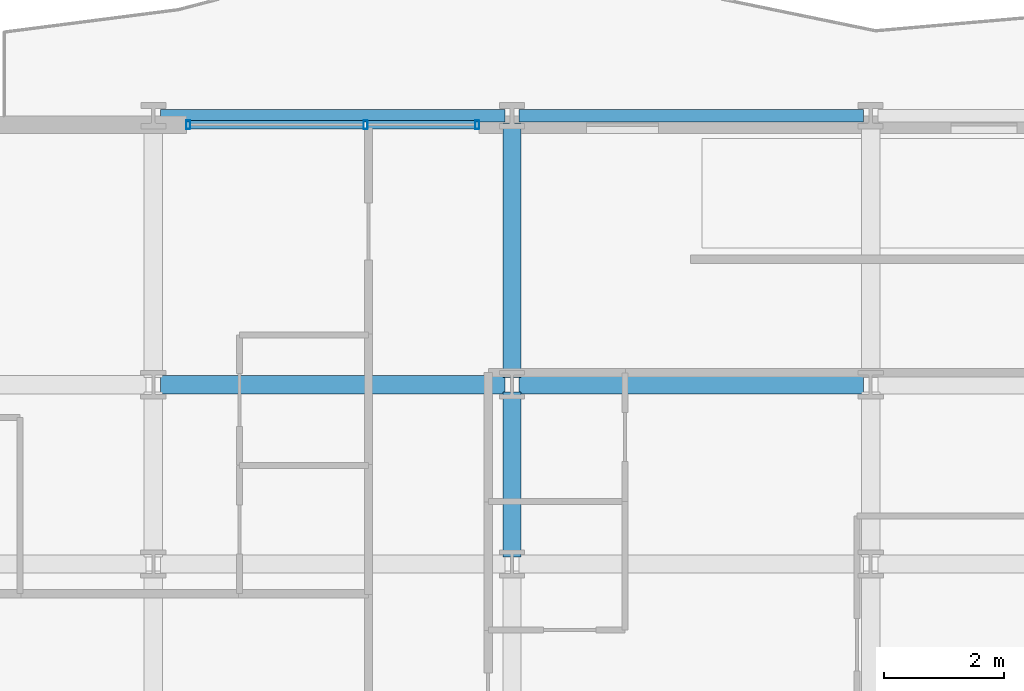
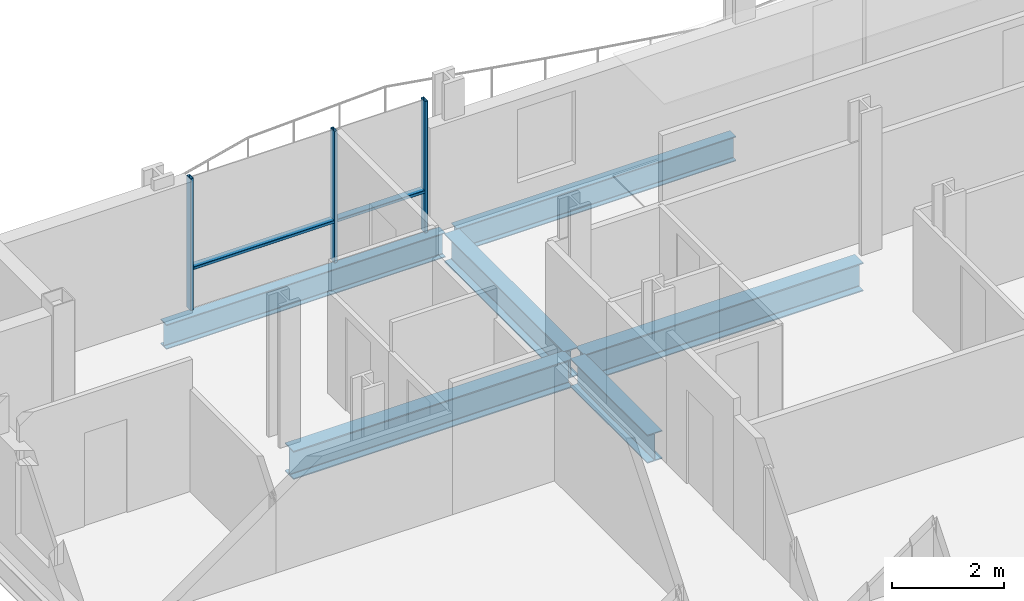
# One storey, part 7 of 39: 6 beams, 5 members, 1 element without a shape of its own.
"""IFC4 building model written with IfcOpenShell, lengths in metres."""

from ifc_helpers import new_model, si_unit, direction, frame, origin, origin_2d, place, context, subcontext, project, spatial, hollow_rectangle, i_section, extrude, material, layer, layer_set, material_profile, profile_set, type_object, element, aggregate, save


model = new_model("IFC4")

# Units and contexts
model_context = context("Model", 3, precision=1e-05, world=origin(), true_north=direction((0.0, 1.0)))
body_context = subcontext(model_context, "Body", "Model", "MODEL_VIEW")
ifc_project = project(units=[si_unit("LENGTHUNIT", "METRE"), si_unit("AREAUNIT", "SQUARE_METRE"), si_unit("VOLUMEUNIT", "CUBIC_METRE"), si_unit("PLANEANGLEUNIT", "RADIAN"), si_unit("MASSUNIT", "GRAM", prefix="KILO")], contexts=[model_context])

# Site, building, storey
site_placement = place(None, origin())
site = spatial("IfcSite", under=ifc_project, at=site_placement, CompositionType="ELEMENT")
building_placement = place(site_placement, origin())
building = spatial("IfcBuilding", under=site, at=building_placement, Name="Brevholm Reach", CompositionType="ELEMENT")
storey_placement = place(building_placement, frame((0.0, 0.0, 40.39990234375)))
storey = spatial("IfcBuildingStorey", under=building, at=storey_placement, Name="L10", CompositionType="ELEMENT", Elevation=40.39990234375)

# Beams
ifc_material_1 = material(Name="Structural Steel S355J2", Category="steel")
ifc_material_profile_1 = material_profile(ifc_material_1, i_section(OverallWidth=0.210693359375, OverallDepth=0.53955078125, WebThickness=0.01171875, FlangeThickness=0.018798828125, FilletRadius=0.0126953125, at=origin_2d()), Name="UKB 533x210x109")
ifc_profile_set_1 = profile_set([ifc_material_profile_1], Name="Structural Steel S355J2")
beam_type_1 = type_object("IfcBeamType", Name="BM-SP539", PredefinedType="SPANDREL", material=ifc_profile_set_1)
for number, where, z_axis, x_axis, name in (
    (1, (6.1201171875, 31.0, -0.499755859375), (1.0, 0.0, 0.0), (0.0, 1.0, 0.0), "L10 SP-01B Framing Beam"),
    (2, (12.1201171875, 31.0, -0.499755859375), (1.0, 0.0, 0.0), (0.0, 1.0, 0.0), "L10 SP-01B Framing Beam"),
):
    element("IfcBeam", number, at=place(storey_placement, frame(where, z_axis=z_axis, x_axis=x_axis)), inside=storey, type_object=beam_type_1, Name=name, PredefinedType="SPANDREL", context=body_context, shape_type="SweptSolid", body=[
        extrude(i_section(OverallWidth=0.210693359375, OverallDepth=0.53955078125, WebThickness=0.01171875, FlangeThickness=0.018798828125, FilletRadius=0.0126953125, at=origin_2d()), origin(), (0.0, 0.0, 1.0), 5.759765625),
    ])
ifc_material_2 = material(Name="Structural Steel S355J2", Category="steel")
ifc_material_profile_2 = material_profile(ifc_material_2, i_section(OverallWidth=0.30712890625, OverallDepth=0.6201171875, WebThickness=0.01416015625, FlangeThickness=0.023681640625, FilletRadius=0.0166015625, at=origin_2d()), Name="UKB 610x305x179")
ifc_profile_set_2 = profile_set([ifc_material_profile_2], Name="Structural Steel S355J2")
beam_type_2 = type_object("IfcBeamType", Name="BM-UKB610H", PredefinedType="USERDEFINED", material=ifc_profile_set_2)
for number, where, z_axis, x_axis, name in (
    (3, (6.1201171875, 26.5, -0.5400390625), (1.0, 0.0, 0.0), (0.0, 1.0, 0.0), "L10 G-06 Framing Beam"),
    (4, (12.1201171875, 26.5, -0.5400390625), (1.0, 0.0, 0.0), (0.0, 1.0, 0.0), "L10 G-06 Framing Beam"),
):
    element("IfcBeam", number, at=place(storey_placement, frame(where, z_axis=z_axis, x_axis=x_axis)), inside=storey, type_object=beam_type_2, Name=name, ObjectType="GIRDER", PredefinedType="USERDEFINED", context=body_context, shape_type="SweptSolid", body=[
        extrude(i_section(OverallWidth=0.30712890625, OverallDepth=0.6201171875, WebThickness=0.01416015625, FlangeThickness=0.023681640625, FilletRadius=0.0166015625, at=origin_2d()), origin(), (0.0, 0.0, 1.0), 5.759765625),
    ])
beam_1_placement = place(storey_placement, frame((12.0, 23.6201171875, -0.5400390625), z_axis=(0.0, 1.0, 0.0), x_axis=(-1.0, 0.0, 0.0)))
element("IfcBeam", 5, at=beam_1_placement, inside=storey, type_object=beam_type_2, Name="L10 G-06 Framing Beam", ObjectType="GIRDER", PredefinedType="USERDEFINED", context=body_context, shape_type="SweptSolid", body=[
    extrude(i_section(OverallWidth=0.30712890625, OverallDepth=0.6201171875, WebThickness=0.01416015625, FlangeThickness=0.023681640625, FilletRadius=0.0166015625, at=origin_2d()), origin(), (0.0, 0.0, 1.0), 2.759765625),
])
beam_2_placement = place(storey_placement, frame((12.0, 26.6201171875, -0.5400390625), z_axis=(0.0, 1.0, 0.0), x_axis=(-1.0, 0.0, 0.0)))
element("IfcBeam", 6, at=beam_2_placement, inside=storey, type_object=beam_type_2, Name="L10 G-06 Framing Beam", ObjectType="GIRDER", PredefinedType="USERDEFINED", context=body_context, shape_type="SweptSolid", body=[
    extrude(i_section(OverallWidth=0.30712890625, OverallDepth=0.6201171875, WebThickness=0.01416015625, FlangeThickness=0.023681640625, FilletRadius=0.0166015625, at=origin_2d()), origin(), (0.0, 0.0, 1.0), 4.259765625),
])

# Curtain wall, members
ifc_material_3 = material(Name="Dark Anodised Aluminium 6063-T6 and Solar-Control Glass", Category="aluminium")
ifc_layer = layer(ifc_material_3, 0.14990234375)
ifc_layer_set = layer_set([ifc_layer], Name="Dark Anodised Aluminium 6063-T6 and Solar-Control Glass")
curtain_wall_type = type_object("IfcCurtainWallType", Name="CW-01", PredefinedType="NOTDEFINED", material=ifc_layer_set)
curtain_wall_placement = place(storey_placement, origin())
curtain_wall = element("IfcCurtainWall", 7, at=curtain_wall_placement, inside=storey, type_object=curtain_wall_type, Name="L10 Curtain Wall CW-01", PredefinedType="NOTDEFINED")
ifc_material_4 = material(Name="Dark Anodised Aluminium 6063-T6", Category="aluminium")
ifc_material_profile_3 = material_profile(ifc_material_4, hollow_rectangle(XDim=0.06494140625, YDim=0.14990234375, WallThickness=0.0048828125, InnerFilletRadius=0.0048828125, OuterFilletRadius=0.010009765625, at=origin_2d()), Name="RHS 150x65x5")
ifc_profile_set_3 = profile_set([ifc_material_profile_3], Name="Dark Anodised Aluminium 6063-T6")
member_type_1 = type_object("IfcMemberType", Name="CWM-150", PredefinedType="MULLION", material=ifc_profile_set_3)
member_1_placement = place(storey_placement, frame((6.58251953125, 30.85009765625, 0.0), z_axis=(0.0, 0.0, 1.0), x_axis=(1.0, 0.0, 0.0)))
member_1 = element("IfcMember", 8, at=member_1_placement, type_object=member_type_1, Name="CM-150 Mullion 1", PredefinedType="MULLION", context=body_context, shape_type="SweptSolid", body=[
    extrude(hollow_rectangle(XDim=0.06494140625, YDim=0.14990234375, WallThickness=0.0048828125, InnerFilletRadius=0.0048828125, OuterFilletRadius=0.010009765625, at=origin_2d()), origin(), (0.0, 0.0, 1.0), 2.8701171875),
])
member_2_placement = place(storey_placement, frame((9.550048828125, 30.85009765625, 0.0), z_axis=(0.0, 0.0, 1.0), x_axis=(1.0, 0.0, 0.0)))
member_2 = element("IfcMember", 9, at=member_2_placement, type_object=member_type_1, Name="CM-150 Mullion 2", PredefinedType="MULLION", context=body_context, shape_type="SweptSolid", body=[
    extrude(hollow_rectangle(XDim=0.06494140625, YDim=0.14990234375, WallThickness=0.0048828125, InnerFilletRadius=0.0048828125, OuterFilletRadius=0.010009765625, at=origin_2d()), origin(), (0.0, 0.0, 1.0), 2.8701171875),
])
member_3_placement = place(storey_placement, frame((11.41748046875, 30.85009765625, 0.0), z_axis=(0.0, 0.0, 1.0), x_axis=(1.0, 0.0, 0.0)))
member_3 = element("IfcMember", 10, at=member_3_placement, type_object=member_type_1, Name="CM-150 Mullion 3", PredefinedType="MULLION", context=body_context, shape_type="SweptSolid", body=[
    extrude(hollow_rectangle(XDim=0.06494140625, YDim=0.14990234375, WallThickness=0.0048828125, InnerFilletRadius=0.0048828125, OuterFilletRadius=0.010009765625, at=origin_2d()), origin(), (0.0, 0.0, 1.0), 2.8701171875),
])
ifc_material_5 = material(Name="Dark Anodised Aluminium 6063-T6", Category="aluminium")
ifc_material_profile_4 = material_profile(ifc_material_5, hollow_rectangle(XDim=0.06494140625, YDim=0.14990234375, WallThickness=0.0048828125, InnerFilletRadius=0.0048828125, OuterFilletRadius=0.010009765625, at=origin_2d()), Name="RHS 150x65x5")
ifc_profile_set_4 = profile_set([ifc_material_profile_4], Name="Dark Anodised Aluminium 6063-T6")
member_type_2 = type_object("IfcMemberType", Name="CWT-150", PredefinedType="NOTDEFINED", material=ifc_profile_set_4)
member_4_placement = place(storey_placement, frame((6.614990234375, 30.85009765625, 0.900146484375), z_axis=(1.0, 0.0, 0.0), x_axis=(0.0, 0.0, 1.0)))
member_4 = element("IfcMember", 11, at=member_4_placement, type_object=member_type_2, Name="CT-150 Transom 1.1", ObjectType="TRANSOM", PredefinedType="USERDEFINED", context=body_context, shape_type="SweptSolid", body=[
    extrude(hollow_rectangle(XDim=0.06494140625, YDim=0.14990234375, WallThickness=0.0048828125, InnerFilletRadius=0.0048828125, OuterFilletRadius=0.010009765625, at=origin_2d()), origin(), (0.0, 0.0, 1.0), 2.902587890625),
])
member_5_placement = place(storey_placement, frame((9.58251953125, 30.85009765625, 0.900146484375), z_axis=(1.0, 0.0, 0.0), x_axis=(0.0, 0.0, 1.0)))
member_5 = element("IfcMember", 12, at=member_5_placement, type_object=member_type_2, Name="CT-150 Transom 2.1", ObjectType="TRANSOM", PredefinedType="USERDEFINED", context=body_context, shape_type="SweptSolid", body=[
    extrude(hollow_rectangle(XDim=0.06494140625, YDim=0.14990234375, WallThickness=0.0048828125, InnerFilletRadius=0.0048828125, OuterFilletRadius=0.010009765625, at=origin_2d()), origin(), (0.0, 0.0, 1.0), 1.802490234375),
])
aggregate(curtain_wall, [member_1, member_2, member_3, member_4, member_5])

save(model, "model.ifc")
